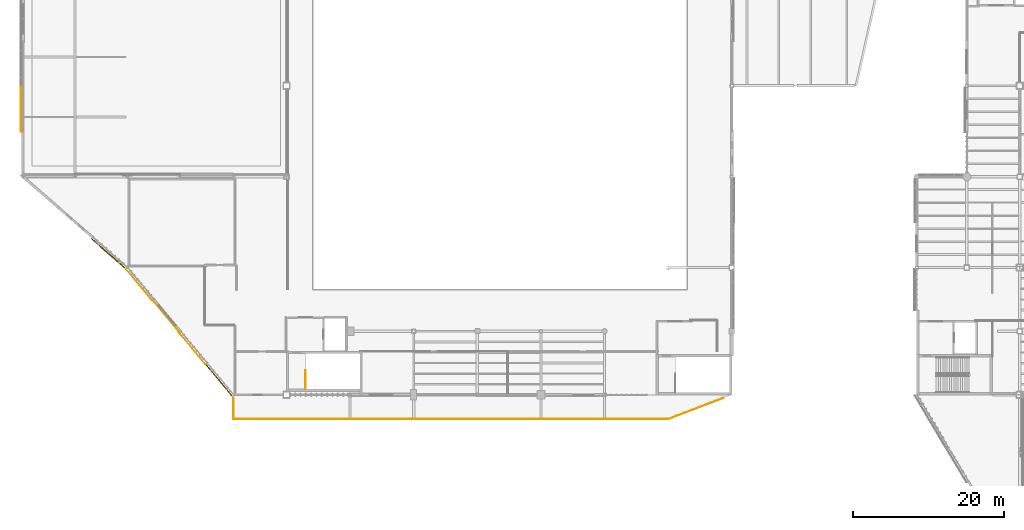
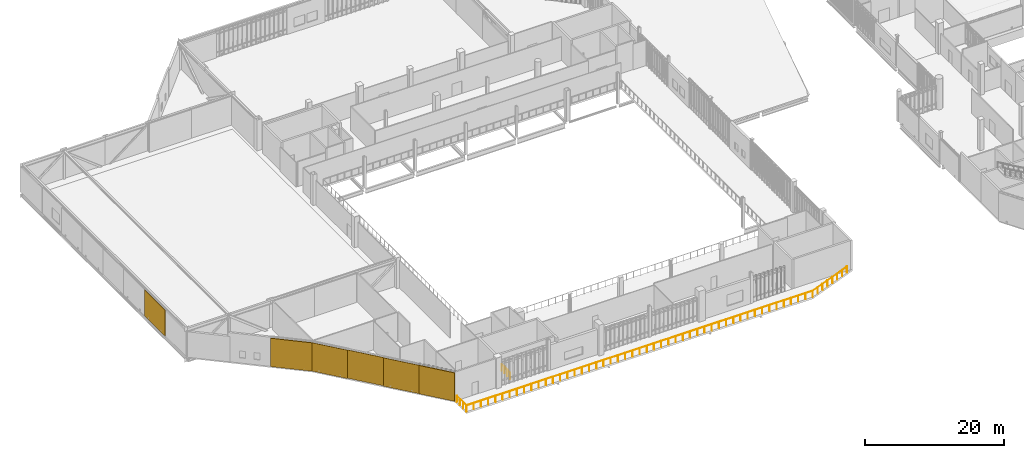
# One storey, part 129 of 135: 5 shading devices, 3 railings, 1 covering.
"""IFC4 building model written with IfcOpenShell, lengths in metres."""

import ifcopenshell
import ifcopenshell.guid

model = None  # the IFC model being written
_history = None  # IfcOwnerHistory: only IFC2X3 demands one
_inside = {}  # id of a spatial element -> (the spatial element, [elements in it])
_under = {}  # id of a project, library or spatial element -> (it, [spatial elements below it])
_declared = {}  # id of a project -> (the project, [libraries it declares])
_typed = {}  # id of a type object -> (the type object, [elements of that type])
_made_of = {}  # id of a material, layer set ... -> (it, [elements and type objects made of it])


def new_model(schema):
    """Start an empty IFC model of exactly this schema.

    Asked for "IFC4X3", IfcOpenShell would pick the latest addendum, in which some entities
    have other attributes; the version numbers below select the first issue.
    IFC2X3 requires an IfcOwnerHistory on every rooted entity: one is made here for all.
    """
    global model, _history
    if schema == "IFC4X3":
        model = ifcopenshell.file(schema_version=(4, 3, 0, 0))
    else:
        model = ifcopenshell.file(schema=schema)
    _inside.clear()
    _under.clear()
    _declared.clear()
    _typed.clear()
    _made_of.clear()
    _history = None
    if model.schema == "IFC2X3":
        org = make("IfcOrganization", Name="unknown")
        user = make(
            "IfcPersonAndOrganization",
            ThePerson=make("IfcPerson", FamilyName="unknown"),
            TheOrganization=org,
        )
        app = make(
            "IfcApplication",
            ApplicationDeveloper=org,
            Version="unknown",
            ApplicationFullName="unknown",
            ApplicationIdentifier="unknown",
        )
        _history = make(
            "IfcOwnerHistory",
            OwningUser=user,
            OwningApplication=app,
            ChangeAction="ADDED",
            CreationDate=0,
        )
    return model


def make(cls, **values):
    """One entity of the class cls with the attributes given. An attribute that is None is left unset."""
    return model.create_entity(
        cls, **{name: value for name, value in values.items() if value is not None}
    )


def rooted(cls, **values):
    """An entity with a GlobalId (a new one), such as an element, a storey or a relation."""
    return make(cls, GlobalId=ifcopenshell.guid.new(), OwnerHistory=_history, **values)


def si_unit(unit_type, name, prefix=None):
    """IfcSIUnit, for example si_unit("LENGTHUNIT", "METRE", prefix="MILLI")."""
    return make("IfcSIUnit", UnitType=unit_type, Prefix=prefix, Name=name)


def assignment(units):
    """IfcUnitAssignment: the units of a project."""
    return None if units is None else make("IfcUnitAssignment", Units=units)


def point(xyz):
    """IfcCartesianPoint."""
    return None if xyz is None else make("IfcCartesianPoint", Coordinates=xyz)


def direction(xyz):
    """IfcDirection."""
    return None if xyz is None else make("IfcDirection", DirectionRatios=xyz)


def frame(location, z_axis=None, x_axis=None):
    """IfcAxis2Placement3D, a coordinate frame: its origin and axes. An axis left out is left unset."""
    return make(
        "IfcAxis2Placement3D",
        Location=point(location),
        Axis=direction(z_axis),
        RefDirection=direction(x_axis),
    )


def frame_2d(location, x_axis=None):
    """IfcAxis2Placement2D, a coordinate frame in the plane: its origin and x axis."""
    return make(
        "IfcAxis2Placement2D", Location=point(location), RefDirection=direction(x_axis)
    )


def origin():
    """The frame at (0, 0, 0) with its axes left unset."""
    return frame((0.0, 0.0, 0.0))


def origin_2d():
    """The frame at (0, 0) in the plane with its x axis left unset."""
    return frame_2d((0.0, 0.0))


def place(relative_to, where):
    """IfcLocalPlacement: puts the frame where relative to a parent placement (None: the world)."""
    return make(
        "IfcLocalPlacement", PlacementRelTo=relative_to, RelativePlacement=where
    )


def context(
    kind, dimensions, precision=None, world=None, true_north=None, identifier=None
):
    """IfcGeometricRepresentationContext, for example the 3D "Model" context."""
    return make(
        "IfcGeometricRepresentationContext",
        ContextIdentifier=identifier,
        ContextType=kind,
        CoordinateSpaceDimension=dimensions,
        Precision=precision,
        WorldCoordinateSystem=world,
        TrueNorth=true_north,
    )


def subcontext(parent, identifier, kind, view, scale=None):
    """IfcGeometricRepresentationSubContext, for example "Body" below "Model"."""
    return make(
        "IfcGeometricRepresentationSubContext",
        ContextIdentifier=identifier,
        ContextType=kind,
        ParentContext=parent,
        TargetScale=scale,
        TargetView=view,
    )


def project(units=None, contexts=None):
    """IfcProject with its units and contexts."""
    return rooted(
        "IfcProject",
        Name="project",
        RepresentationContexts=contexts,
        UnitsInContext=assignment(units),
    )


def spatial(cls, under=None, at=None, **own):
    """A site, building, storey or space (cls), placed at a placement, below another one or the project."""
    s = rooted(cls, ObjectPlacement=at, **own)
    if under is not None:
        _under.setdefault(under.id(), (under, []))[1].append(s)
    return s


def profile(cls, at=None, kind="AREA", **sizes):
    """A parametric profile (cls). Its sizes go by their IFC names, for example OverallWidth=200.0."""
    return make(cls, ProfileType=kind, Position=at, **sizes)


def rectangle(**sizes):
    """IfcRectangleProfileDef."""
    return profile("IfcRectangleProfileDef", **sizes)


def circle(**sizes):
    """IfcCircleProfileDef."""
    return profile("IfcCircleProfileDef", **sizes)


def extrude(swept, where, along, depth):
    """IfcExtrudedAreaSolid: the profile swept, set in the frame where, extruded along a direction by depth."""
    return make(
        "IfcExtrudedAreaSolid",
        SweptArea=swept,
        Position=where,
        ExtrudedDirection=direction(along),
        Depth=depth,
    )


def shape(context_of_items, identifier, shape_type, items):
    """IfcShapeRepresentation: the items that make up one representation, for example the "Body"."""
    return make(
        "IfcShapeRepresentation",
        ContextOfItems=context_of_items,
        RepresentationIdentifier=identifier,
        RepresentationType=shape_type,
        Items=items,
    )


def material(Name=None, Category=None):
    """IfcMaterial."""
    return make("IfcMaterial", Name=Name, Category=Category)


def layer(
    of_material, thickness, ventilated=None, Name=None, Category=None, Priority=None
):
    """IfcMaterialLayer: one layer of a wall or slab, of a material (None: an air gap)."""
    return make(
        "IfcMaterialLayer",
        Material=of_material,
        LayerThickness=thickness,
        IsVentilated=ventilated,
        Name=Name,
        Category=Category,
        Priority=Priority,
    )


def layer_set(layers, Name=None):
    """IfcMaterialLayerSet."""
    return make("IfcMaterialLayerSet", MaterialLayers=layers, LayerSetName=Name)


def made_of(thing, what):
    """Note that an element or type object is made of a material, layer set ...; save() writes the relation."""
    if what is not None:
        _made_of.setdefault(what.id(), (what, []))[1].append(thing)
    return thing


def type_object(cls, material=None, **own):
    """A type object (cls), such as IfcWallType, which elements share."""
    return made_of(rooted(cls, **own), material)


def element(
    cls,
    number,
    at=None,
    inside=None,
    cuts=None,
    type_object=None,
    material=None,
    context=None,
    identifier="Body",
    shape_type=None,
    held_by="IfcProductDefinitionShape",
    body=None,
    shapes=None,
    **own,
):
    """One element of the class cls, such as IfcWall. Its Tag is "e" and its number.

    at: its placement. inside: the storey or other place that contains it. cuts: it is an
    opening in that element (IfcRelVoidsElement). A single representation is given by context,
    identifier, shape_type and body (its items); several are given by shapes. held_by: the class
    of the entity that holds the representations. save() writes the other relations.
    """
    e = rooted(cls, Tag="e%d" % number, ObjectPlacement=at, **own)
    if body is not None:
        shapes = [shape(context, identifier, shape_type, body)]
    if shapes is not None:
        e.Representation = make(held_by, Representations=shapes)
    if inside is not None:
        _inside.setdefault(inside.id(), (inside, []))[1].append(e)
    if cuts is not None:
        rooted(
            "IfcRelVoidsElement", RelatingBuildingElement=cuts, RelatedOpeningElement=e
        )
    if type_object is not None:
        _typed.setdefault(type_object.id(), (type_object, []))[1].append(e)
    return made_of(e, material)


def aggregate(whole, parts):
    """IfcRelAggregates: a whole, such as a stair, and the parts it consists of."""
    return rooted("IfcRelAggregates", RelatingObject=whole, RelatedObjects=parts)


def save(model, path):
    """Write the relations noted so far, then the file.

    IfcRelAggregates (storeys below a building ...), IfcRelContainedInSpatialStructure (elements
    in a storey), IfcRelDefinesByType, IfcRelAssociatesMaterial and IfcRelDeclares: one each for
    every whole, place, type object, material and project.
    """
    for whole, parts in _under.values():
        aggregate(whole, parts)
    for where, things in _inside.values():
        rooted(
            "IfcRelContainedInSpatialStructure",
            RelatedElements=things,
            RelatingStructure=where,
        )
    for kind, things in _typed.values():
        rooted("IfcRelDefinesByType", RelatedObjects=things, RelatingType=kind)
    for what, things in _made_of.values():
        rooted("IfcRelAssociatesMaterial", RelatedObjects=things, RelatingMaterial=what)
    for by, libraries in _declared.values():
        rooted("IfcRelDeclares", RelatingContext=by, RelatedDefinitions=libraries)
    model.write(path)


model = new_model("IFC4")

# Units and contexts
model_context = context("Model", 3, precision=1e-05, world=origin(), true_north=direction((0.0, 1.0)))
body_context = subcontext(model_context, "Body", "Model", "MODEL_VIEW")
ifc_project = project(units=[si_unit("LENGTHUNIT", "METRE"), si_unit("AREAUNIT", "SQUARE_METRE"), si_unit("VOLUMEUNIT", "CUBIC_METRE"), si_unit("PLANEANGLEUNIT", "RADIAN"), si_unit("MASSUNIT", "GRAM", prefix="KILO")], contexts=[model_context])

# Site, building, storey
site_placement = place(None, origin())
site = spatial("IfcSite", under=ifc_project, at=site_placement, CompositionType="ELEMENT")
building_placement = place(site_placement, origin())
building = spatial("IfcBuilding", under=site, at=building_placement, Name="Larkvane Passage Sports Hall", CompositionType="ELEMENT")
storey_placement = place(building_placement, frame((0.0, 0.0, 16.800048828125)))
storey = spatial("IfcBuildingStorey", under=building, at=storey_placement, Name="L03", CompositionType="ELEMENT", Elevation=16.800048828125)

# Covering
ifc_material_1 = material(Name="Perforated anodised aluminium 5052-H32", Category="aluminium")
ifc_layer_1 = layer(ifc_material_1, 0.050048828125)
ifc_layer_set_1 = layer_set([ifc_layer_1], Name="Perforated anodised aluminium 5052-H32")
covering_type = type_object("IfcCoveringType", Name="COV-MESH-VEIL", PredefinedType="CLADDING", material=ifc_layer_set_1)
covering_placement = place(storey_placement, frame((18.925048828125, 33.196044921875, 0.0751953125), z_axis=(0.0, 0.0, 1.0), x_axis=(-0.640184399661, 0.7682212796, 0.0)))
element("IfcCovering", 1, at=covering_placement, inside=storey, type_object=covering_type, Name="Perforated cladding cassette L03-184", PredefinedType="CLADDING", context=body_context, shape_type="SweptSolid", body=[
    extrude(rectangle(XDim=5.631103515625, YDim=0.050048828125, at=origin_2d()), origin(), (0.0, 0.0, 1.0), 4.949951171875),
])

# Railings
ifc_material_2 = material(Name="Steel S355JR", Category="steel")
railing_type = type_object("IfcRailingType", Name="RL-GUARD-1120", PredefinedType="GUARDRAIL", material=ifc_material_2)
railing_1_placement = place(storey_placement, frame((37.330078125, 23.550048828125, 0.0)))
element("IfcRailing", 2, at=railing_1_placement, inside=storey, type_object=railing_type, Name="L03 ST-01 top well guard 1", PredefinedType="GUARDRAIL", context=body_context, shape_type="SweptSolid", body=[
    extrude(circle(Radius=0.02392578125, at=origin_2d()), frame((0.0, 0.001953125, 1.09619140625), z_axis=(0.0, 1.0, 0.0), x_axis=(-1.0, 0.0, 0.0)), (0.0, 0.0, 1.0), 2.446044921875),
    extrude(circle(Radius=0.02099609375, at=origin_2d()), origin(), (0.0, 0.0, 1.0), 1.072021484375),
    extrude(circle(Radius=0.02099609375, at=origin_2d()), frame((0.0, 0.816650390625, 0.0)), (0.0, 0.0, 1.0), 1.072021484375),
    extrude(circle(Radius=0.02099609375, at=origin_2d()), frame((0.0, 1.63330078125, 0.0)), (0.0, 0.0, 1.0), 1.072021484375),
    extrude(circle(Radius=0.02099609375, at=origin_2d()), frame((0.0, 2.449951171875, 0.0)), (0.0, 0.0, 1.0), 1.072021484375),
])
railing_2_placement = place(storey_placement, frame((27.800048828125, 19.60009765625, 0.0)))
element("IfcRailing", 3, at=railing_2_placement, inside=storey, type_object=railing_type, Name="Terrace perimeter guardrail L03-013", PredefinedType="GUARDRAIL", context=body_context, shape_type="SweptSolid", body=[
    extrude(circle(Radius=0.02392578125, at=origin_2d()), frame((0.001953125, 0.0, 1.09619140625), z_axis=(1.0, 0.0, 0.0), x_axis=(0.0, 1.0, 0.0)), (0.0, 0.0, 1.0), 57.39599609375),
    extrude(circle(Radius=0.02392578125, at=origin_2d()), frame((57.40185546875, 0.000732421875, 1.09619140625), z_axis=(0.934490706655, 0.355987526714, 0.0), x_axis=(-0.355987526714, 0.934490706655, 0.0)), (0.0, 0.0, 1.0), 7.8046875),
    extrude(circle(Radius=0.02099609375, at=origin_2d()), origin(), (0.0, 0.0, 1.0), 1.072021484375),
    extrude(circle(Radius=0.02099609375, at=origin_2d()), frame((1.19580078125, 0.0, 0.0)), (0.0, 0.0, 1.0), 1.072021484375),
    extrude(circle(Radius=0.02099609375, at=origin_2d()), frame((2.3916015625, 0.0, 0.0)), (0.0, 0.0, 1.0), 1.072021484375),
    extrude(circle(Radius=0.02099609375, at=origin_2d()), frame((3.58740234375, 0.0, 0.0)), (0.0, 0.0, 1.0), 1.072021484375),
    extrude(circle(Radius=0.02099609375, at=origin_2d()), frame((4.783203125, 0.0, 0.0)), (0.0, 0.0, 1.0), 1.072021484375),
    extrude(circle(Radius=0.02099609375, at=origin_2d()), frame((5.979248046875, 0.0, 0.0)), (0.0, 0.0, 1.0), 1.072021484375),
    extrude(circle(Radius=0.02099609375, at=origin_2d()), frame((7.175048828125, 0.0, 0.0)), (0.0, 0.0, 1.0), 1.072021484375),
    extrude(circle(Radius=0.02099609375, at=origin_2d()), frame((8.370849609375, 0.0, 0.0)), (0.0, 0.0, 1.0), 1.072021484375),
    extrude(circle(Radius=0.02099609375, at=origin_2d()), frame((9.566650390625, 0.0, 0.0)), (0.0, 0.0, 1.0), 1.072021484375),
    extrude(circle(Radius=0.02099609375, at=origin_2d()), frame((10.762451171875, 0.0, 0.0)), (0.0, 0.0, 1.0), 1.072021484375),
    extrude(circle(Radius=0.02099609375, at=origin_2d()), frame((11.958251953125, 0.0, 0.0)), (0.0, 0.0, 1.0), 1.072021484375),
    extrude(circle(Radius=0.02099609375, at=origin_2d()), frame((13.154052734375, 0.0, 0.0)), (0.0, 0.0, 1.0), 1.072021484375),
    extrude(circle(Radius=0.02099609375, at=origin_2d()), frame((14.35009765625, 0.0, 0.0)), (0.0, 0.0, 1.0), 1.072021484375),
    extrude(circle(Radius=0.02099609375, at=origin_2d()), frame((15.5458984375, 0.0, 0.0)), (0.0, 0.0, 1.0), 1.072021484375),
    extrude(circle(Radius=0.02099609375, at=origin_2d()), frame((16.74169921875, 0.0, 0.0)), (0.0, 0.0, 1.0), 1.072021484375),
    extrude(circle(Radius=0.02099609375, at=origin_2d()), frame((17.9375, 0.0, 0.0)), (0.0, 0.0, 1.0), 1.072021484375),
    extrude(circle(Radius=0.02099609375, at=origin_2d()), frame((19.13330078125, 0.0, 0.0)), (0.0, 0.0, 1.0), 1.072021484375),
    extrude(circle(Radius=0.02099609375, at=origin_2d()), frame((20.3291015625, 0.0, 0.0)), (0.0, 0.0, 1.0), 1.072021484375),
    extrude(circle(Radius=0.02099609375, at=origin_2d()), frame((21.52490234375, 0.0, 0.0)), (0.0, 0.0, 1.0), 1.072021484375),
    extrude(circle(Radius=0.02099609375, at=origin_2d()), frame((22.720703125, 0.0, 0.0)), (0.0, 0.0, 1.0), 1.072021484375),
    extrude(circle(Radius=0.02099609375, at=origin_2d()), frame((23.91650390625, 0.0, 0.0)), (0.0, 0.0, 1.0), 1.072021484375),
    extrude(circle(Radius=0.02099609375, at=origin_2d()), frame((25.112548828125, 0.0, 0.0)), (0.0, 0.0, 1.0), 1.072021484375),
    extrude(circle(Radius=0.02099609375, at=origin_2d()), frame((26.308349609375, 0.0, 0.0)), (0.0, 0.0, 1.0), 1.072021484375),
    extrude(circle(Radius=0.02099609375, at=origin_2d()), frame((27.504150390625, 0.0, 0.0)), (0.0, 0.0, 1.0), 1.072021484375),
    extrude(circle(Radius=0.02099609375, at=origin_2d()), frame((28.699951171875, 0.0, 0.0)), (0.0, 0.0, 1.0), 1.072021484375),
    extrude(circle(Radius=0.02099609375, at=origin_2d()), frame((29.895751953125, 0.0, 0.0)), (0.0, 0.0, 1.0), 1.072021484375),
    extrude(circle(Radius=0.02099609375, at=origin_2d()), frame((31.091552734375, 0.0, 0.0)), (0.0, 0.0, 1.0), 1.072021484375),
    extrude(circle(Radius=0.02099609375, at=origin_2d()), frame((32.287353515625, 0.0, 0.0)), (0.0, 0.0, 1.0), 1.072021484375),
    extrude(circle(Radius=0.02099609375, at=origin_2d()), frame((33.4833984375, 0.0, 0.0)), (0.0, 0.0, 1.0), 1.072021484375),
    extrude(circle(Radius=0.02099609375, at=origin_2d()), frame((34.67919921875, 0.0, 0.0)), (0.0, 0.0, 1.0), 1.072021484375),
    extrude(circle(Radius=0.02099609375, at=origin_2d()), frame((35.875, 0.0, 0.0)), (0.0, 0.0, 1.0), 1.072021484375),
    extrude(circle(Radius=0.02099609375, at=origin_2d()), frame((37.07080078125, 0.0, 0.0)), (0.0, 0.0, 1.0), 1.072021484375),
    extrude(circle(Radius=0.02099609375, at=origin_2d()), frame((38.2666015625, 0.0, 0.0)), (0.0, 0.0, 1.0), 1.072021484375),
    extrude(circle(Radius=0.02099609375, at=origin_2d()), frame((39.46240234375, 0.0, 0.0)), (0.0, 0.0, 1.0), 1.072021484375),
    extrude(circle(Radius=0.02099609375, at=origin_2d()), frame((40.658203125, 0.0, 0.0)), (0.0, 0.0, 1.0), 1.072021484375),
    extrude(circle(Radius=0.02099609375, at=origin_2d()), frame((41.85400390625, 0.0, 0.0)), (0.0, 0.0, 1.0), 1.072021484375),
    extrude(circle(Radius=0.02099609375, at=origin_2d()), frame((43.0498046875, 0.0, 0.0)), (0.0, 0.0, 1.0), 1.072021484375),
    extrude(circle(Radius=0.02099609375, at=origin_2d()), frame((44.245849609375, 0.0, 0.0)), (0.0, 0.0, 1.0), 1.072021484375),
    extrude(circle(Radius=0.02099609375, at=origin_2d()), frame((45.441650390625, 0.0, 0.0)), (0.0, 0.0, 1.0), 1.072021484375),
    extrude(circle(Radius=0.02099609375, at=origin_2d()), frame((46.637451171875, 0.0, 0.0)), (0.0, 0.0, 1.0), 1.072021484375),
    extrude(circle(Radius=0.02099609375, at=origin_2d()), frame((47.833251953125, 0.0, 0.0)), (0.0, 0.0, 1.0), 1.072021484375),
    extrude(circle(Radius=0.02099609375, at=origin_2d()), frame((49.029052734375, 0.0, 0.0)), (0.0, 0.0, 1.0), 1.072021484375),
    extrude(circle(Radius=0.02099609375, at=origin_2d()), frame((50.224853515625, 0.0, 0.0)), (0.0, 0.0, 1.0), 1.072021484375),
    extrude(circle(Radius=0.02099609375, at=origin_2d()), frame((51.420654296875, 0.0, 0.0)), (0.0, 0.0, 1.0), 1.072021484375),
    extrude(circle(Radius=0.02099609375, at=origin_2d()), frame((52.61669921875, 0.0, 0.0)), (0.0, 0.0, 1.0), 1.072021484375),
    extrude(circle(Radius=0.02099609375, at=origin_2d()), frame((53.8125, 0.0, 0.0)), (0.0, 0.0, 1.0), 1.072021484375),
    extrude(circle(Radius=0.02099609375, at=origin_2d()), frame((55.00830078125, 0.0, 0.0)), (0.0, 0.0, 1.0), 1.072021484375),
    extrude(circle(Radius=0.02099609375, at=origin_2d()), frame((56.2041015625, 0.0, 0.0)), (0.0, 0.0, 1.0), 1.072021484375),
    extrude(circle(Radius=0.02099609375, at=origin_2d()), frame((57.39990234375, 0.0, 0.0)), (0.0, 0.0, 1.0), 1.072021484375),
    extrude(circle(Radius=0.02099609375, at=origin_2d()), frame((58.4423828125, 0.397216796875, 0.0)), (0.0, 0.0, 1.0), 1.072021484375),
    extrude(circle(Radius=0.02099609375, at=origin_2d()), frame((59.48486328125, 0.794189453125, 0.0)), (0.0, 0.0, 1.0), 1.072021484375),
    extrude(circle(Radius=0.02099609375, at=origin_2d()), frame((60.52734375, 1.19140625, 0.0)), (0.0, 0.0, 1.0), 1.072021484375),
    extrude(circle(Radius=0.02099609375, at=origin_2d()), frame((61.569580078125, 1.58837890625, 0.0)), (0.0, 0.0, 1.0), 1.072021484375),
    extrude(circle(Radius=0.02099609375, at=origin_2d()), frame((62.612060546875, 1.985595703125, 0.0)), (0.0, 0.0, 1.0), 1.072021484375),
    extrude(circle(Radius=0.02099609375, at=origin_2d()), frame((63.654541015625, 2.382568359375, 0.0)), (0.0, 0.0, 1.0), 1.072021484375),
    extrude(circle(Radius=0.02099609375, at=origin_2d()), frame((64.697021484375, 2.77978515625, 0.0)), (0.0, 0.0, 1.0), 1.072021484375),
])
railing_3_placement = place(storey_placement, frame((27.800048828125, 22.3798828125, 0.0)))
element("IfcRailing", 4, at=railing_3_placement, inside=storey, type_object=railing_type, Name="Terrace perimeter guardrail L03-014", PredefinedType="GUARDRAIL", context=body_context, shape_type="SweptSolid", body=[
    extrude(circle(Radius=0.02392578125, at=origin_2d()), frame((0.0, -0.001953125, 1.09619140625), z_axis=(0.0, -1.0, 0.0), x_axis=(1.0, 0.0, 0.0)), (0.0, 0.0, 1.0), 2.77587890625),
    extrude(circle(Radius=0.02099609375, at=origin_2d()), origin(), (0.0, 0.0, 1.0), 1.072021484375),
    extrude(circle(Radius=0.02099609375, at=origin_2d()), frame((0.0, -0.926513671875, 0.0)), (0.0, 0.0, 1.0), 1.072021484375),
    extrude(circle(Radius=0.02099609375, at=origin_2d()), frame((0.0, -1.853271484375, 0.0)), (0.0, 0.0, 1.0), 1.072021484375),
    extrude(circle(Radius=0.02099609375, at=origin_2d()), frame((0.0, -2.77978515625, 0.0)), (0.0, 0.0, 1.0), 1.072021484375),
])

# Shading devices
ifc_material_3 = material(Name="Extruded aluminium 6063-T6", Category="aluminium")
ifc_layer_2 = layer(ifc_material_3, 0.1201171875)
ifc_layer_set_2 = layer_set([ifc_layer_2], Name="Extruded aluminium 6063-T6")
shading_device_type_1 = type_object("IfcShadingDeviceType", Name="SHD-LOUVRE-STORM", PredefinedType="JALOUSIE", material=ifc_layer_set_2)
shading_device_1_placement = place(storey_placement, frame((25.86572265625, 24.746337890625, 0.06005859375), z_axis=(0.0, 0.0, 1.0), x_axis=(-0.640184399661, 0.7682212796, 0.0)))
element("IfcShadingDevice", 5, at=shading_device_1_placement, inside=storey, type_object=shading_device_type_1, Name="Solar veil screen L03-090", PredefinedType="JALOUSIE", context=body_context, shape_type="SweptSolid", body=[
    extrude(rectangle(XDim=5.46728515625, YDim=0.1201171875, at=origin_2d()), origin(), (0.0, 0.0, 1.0), 4.97998046875),
])
shading_device_2_placement = place(storey_placement, frame((11.342529296875, 41.4189453125, 0.06005859375), z_axis=(0.0, 0.0, 1.0), x_axis=(-0.754605522159, 0.65617871493, 0.0)))
element("IfcShadingDevice", 6, at=shading_device_2_placement, inside=storey, type_object=shading_device_type_1, Name="Solar veil screen L03-093", PredefinedType="JALOUSIE", context=body_context, shape_type="SweptSolid", body=[
    extrude(rectangle(XDim=6.095947265625, YDim=0.1201171875, at=origin_2d()), origin(), (0.0, 0.0, 1.0), 4.97998046875),
])
ifc_layer_3 = layer(ifc_material_1, 0.06005859375)
ifc_layer_set_3 = layer_set([ifc_layer_3], Name="Perforated anodised aluminium 5052-H32")
shading_device_type_2 = type_object("IfcShadingDeviceType", Name="SHD-VEIL-PERF", PredefinedType="SHUTTER", material=ifc_layer_set_3)
for number, where, z_axis, x_axis, name in (
    (7, (22.36572265625, 28.9462890625, 0.06005859375), (0.0, 0.0, 1.0), (-0.640184399661, 0.7682212796, 0.0), "Solar veil screen L03-091"),
    (8, (15.36572265625, 37.346435546875, 0.06005859375), (0.0, 0.0, 1.0), (-0.640184399661, 0.7682212796, 0.0), "Solar veil screen L03-092"),
):
    element("IfcShadingDevice", number, at=place(storey_placement, frame(where, z_axis=z_axis, x_axis=x_axis)), inside=storey, type_object=shading_device_type_2, Name=name, PredefinedType="SHUTTER", context=body_context, shape_type="SweptSolid", body=[
        extrude(rectangle(XDim=5.46728515625, YDim=0.06005859375, at=origin_2d()), origin(), (0.0, 0.0, 1.0), 4.97998046875),
    ])
shading_device_3_placement = place(storey_placement, frame((-0.239990234375, 60.52490234375, 0.06005859375), z_axis=(0.0, 0.0, 1.0), x_axis=(0.0, 1.0, 0.0)))
element("IfcShadingDevice", 9, at=shading_device_3_placement, inside=storey, type_object=shading_device_type_2, Name="Solar veil screen L03-094", PredefinedType="SHUTTER", context=body_context, shape_type="SweptSolid", body=[
    extrude(rectangle(XDim=5.949951171875, YDim=0.06005859375, at=origin_2d()), origin(), (0.0, 0.0, 1.0), 4.528076171875),
])

save(model, "model.ifc")
